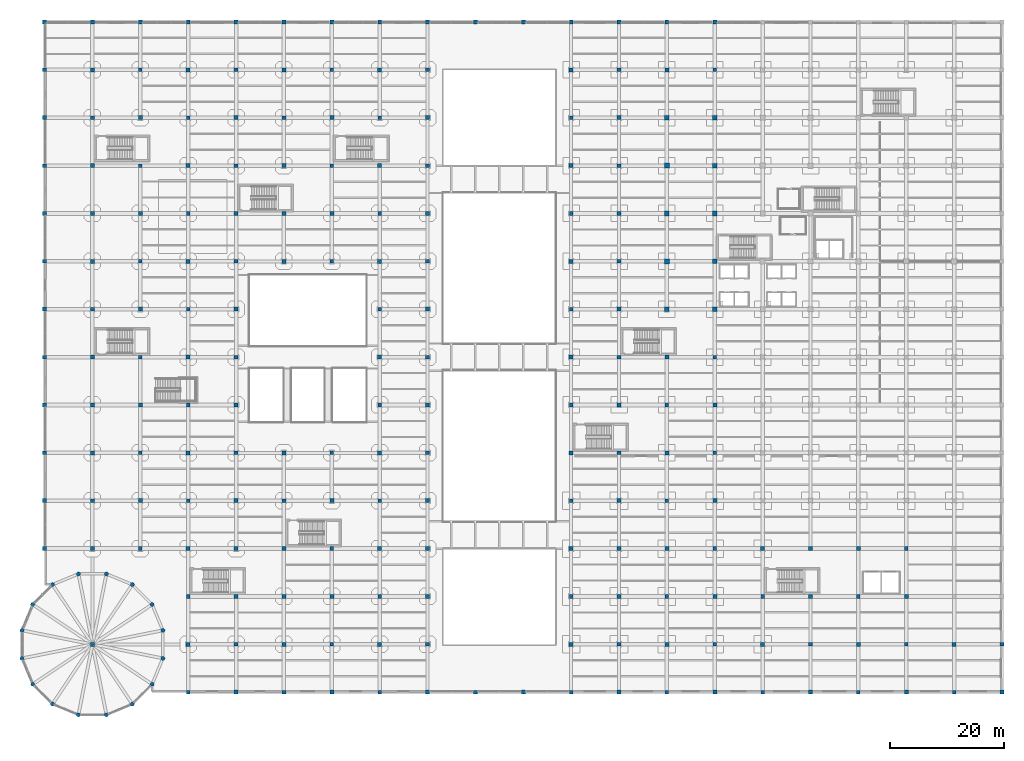
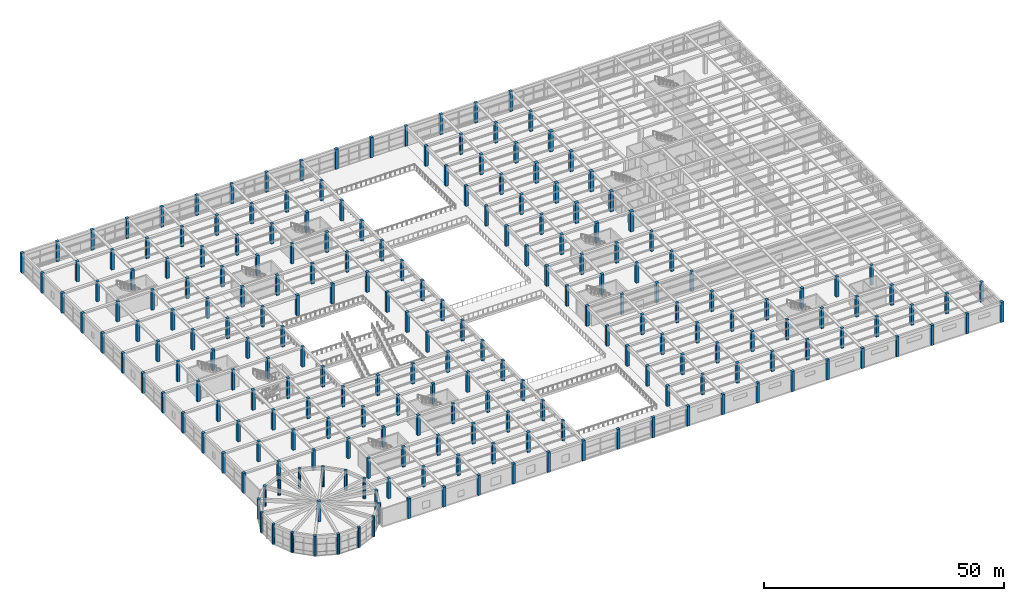
# One storey, part 1 of 96: 221 columns.
"""IFC4 building model written with IfcOpenShell, lengths in metres."""

from ifc_helpers import new_model, si_unit, direction, frame, origin, origin_2d, place, context, subcontext, project, spatial, rectangle, circle, extrude, material, material_profile, profile_set, type_object, element, save


model = new_model("IFC4")

# Units and contexts
model_context = context("Model", 3, precision=1e-05, world=origin(), true_north=direction((0.0, 1.0)))
body_context = subcontext(model_context, "Body", "Model", "MODEL_VIEW")
ifc_project = project(units=[si_unit("LENGTHUNIT", "METRE"), si_unit("AREAUNIT", "SQUARE_METRE"), si_unit("VOLUMEUNIT", "CUBIC_METRE"), si_unit("PLANEANGLEUNIT", "RADIAN"), si_unit("MASSUNIT", "GRAM", prefix="KILO")], contexts=[model_context])

# Site, building, storey
site_placement = place(None, origin())
site = spatial("IfcSite", under=ifc_project, at=site_placement, CompositionType="ELEMENT")
building_placement = place(site_placement, origin())
building = spatial("IfcBuilding", under=site, at=building_placement, Name="Almacenes y Pasaje Nevantli", CompositionType="ELEMENT")
storey_placement = place(building_placement, frame((0.0, 0.0, 6.0)))
storey = spatial("IfcBuildingStorey", under=building, at=storey_placement, Name="L02", CompositionType="ELEMENT", Elevation=6.0)

# Columns
ifc_material_1 = material(Name="Concrete C45/55", Category="concrete")
ifc_material_profile_1 = material_profile(ifc_material_1, rectangle(XDim=0.64990234375, YDim=0.64990234375, at=origin_2d()), Name="RC-COL-650x650")
ifc_profile_set_1 = profile_set([ifc_material_profile_1], Name="Concrete C45/55")
column_type_1 = type_object("IfcColumnType", Name="COL-RC-650", PredefinedType="COLUMN", material=ifc_profile_set_1)
for number, where, z_axis, x_axis, name in (
    (1, (0.0, 25.199951171875, 0.0), (0.0, 0.0, 1.0), (1.0, 0.0, 0.0), "L02 Reinforced Concrete Column CL-07 #989"),
    (2, (0.0, 42.0, 0.0), (0.0, 0.0, 1.0), (1.0, 0.0, 0.0), "L02 Reinforced Concrete Column CL-07 #991"),
    (3, (0.0, 58.800048828125, 0.0), (0.0, 0.0, 1.0), (1.0, 0.0, 0.0), "L02 Reinforced Concrete Column CL-07 #993"),
    (4, (0.0, 75.60009765625, 0.0), (0.0, 0.0, 1.0), (1.0, 0.0, 0.0), "L02 Reinforced Concrete Column CL-07 #995"),
    (5, (0.0, 92.39990234375, 0.0), (0.0, 0.0, 1.0), (1.0, 0.0, 0.0), "L02 Reinforced Concrete Column CL-07 #997"),
    (6, (0.0, 109.199951171875, 0.0), (0.0, 0.0, 1.0), (1.0, 0.0, 0.0), "L02 Reinforced Concrete Column CL-07 #999"),
    (7, (8.39990234375, 33.60009765625, 0.0), (0.0, 0.0, 1.0), (1.0, 0.0, 0.0), "L02 Reinforced Concrete Column CL-07 #1003"),
    (8, (8.39990234375, 50.39990234375, 0.0), (0.0, 0.0, 1.0), (1.0, 0.0, 0.0), "L02 Reinforced Concrete Column CL-07 #1005"),
    (9, (8.39990234375, 67.199951171875, 0.0), (0.0, 0.0, 1.0), (1.0, 0.0, 0.0), "L02 Reinforced Concrete Column CL-07 #1007"),
    (10, (8.39990234375, 84.0, 0.0), (0.0, 0.0, 1.0), (1.0, 0.0, 0.0), "L02 Reinforced Concrete Column CL-07 #1009"),
    (11, (8.39990234375, 100.800048828125, 0.0), (0.0, 0.0, 1.0), (1.0, 0.0, 0.0), "L02 Reinforced Concrete Column CL-07 #1011"),
    (12, (8.39990234375, 117.60009765625, 0.0), (0.0, 0.0, 1.0), (1.0, 0.0, 0.0), "L02 Reinforced Concrete Column CL-07 #1013"),
    (13, (16.800048828125, 25.199951171875, 0.0), (0.0, 0.0, 1.0), (1.0, 0.0, 0.0), "L02 Reinforced Concrete Column CL-07 #1014"),
    (14, (16.800048828125, 42.0, 0.0), (0.0, 0.0, 1.0), (1.0, 0.0, 0.0), "L02 Reinforced Concrete Column CL-07 #1016"),
    (15, (16.800048828125, 58.800048828125, 0.0), (0.0, 0.0, 1.0), (1.0, 0.0, 0.0), "L02 Reinforced Concrete Column CL-07 #1018"),
    (16, (16.800048828125, 75.60009765625, 0.0), (0.0, 0.0, 1.0), (1.0, 0.0, 0.0), "L02 Reinforced Concrete Column CL-07 #1020"),
    (17, (16.800048828125, 92.39990234375, 0.0), (0.0, 0.0, 1.0), (1.0, 0.0, 0.0), "L02 Reinforced Concrete Column CL-07 #1022"),
    (18, (16.800048828125, 109.199951171875, 0.0), (0.0, 0.0, 1.0), (1.0, 0.0, 0.0), "L02 Reinforced Concrete Column CL-07 #1024"),
    (19, (25.199951171875, 0.0, 0.0), (0.0, 0.0, 1.0), (1.0, 0.0, 0.0), "L02 Reinforced Concrete Column CL-07 #1026"),
    (20, (25.199951171875, 16.800048828125, 0.0), (0.0, 0.0, 1.0), (1.0, 0.0, 0.0), "L02 Reinforced Concrete Column CL-07 #1028"),
    (21, (25.199951171875, 33.60009765625, 0.0), (0.0, 0.0, 1.0), (1.0, 0.0, 0.0), "L02 Reinforced Concrete Column CL-07 #1030"),
    (22, (25.199951171875, 50.39990234375, 0.0), (0.0, 0.0, 1.0), (1.0, 0.0, 0.0), "L02 Reinforced Concrete Column CL-07 #1032"),
    (23, (25.199951171875, 67.199951171875, 0.0), (0.0, 0.0, 1.0), (1.0, 0.0, 0.0), "L02 Reinforced Concrete Column CL-07 #1034"),
    (24, (25.199951171875, 84.0, 0.0), (0.0, 0.0, 1.0), (1.0, 0.0, 0.0), "L02 Reinforced Concrete Column CL-07 #1036"),
    (25, (25.199951171875, 100.800048828125, 0.0), (0.0, 0.0, 1.0), (1.0, 0.0, 0.0), "L02 Reinforced Concrete Column CL-07 #1038"),
    (26, (25.199951171875, 117.60009765625, 0.0), (0.0, 0.0, 1.0), (1.0, 0.0, 0.0), "L02 Reinforced Concrete Column CL-07 #1040"),
    (27, (33.60009765625, 8.39990234375, 0.0), (0.0, 0.0, 1.0), (1.0, 0.0, 0.0), "L02 Reinforced Concrete Column CL-07 #1042"),
    (28, (33.60009765625, 25.199951171875, 0.0), (0.0, 0.0, 1.0), (1.0, 0.0, 0.0), "L02 Reinforced Concrete Column CL-07 #1044"),
    (29, (33.60009765625, 42.0, 0.0), (0.0, 0.0, 1.0), (1.0, 0.0, 0.0), "L02 Reinforced Concrete Column CL-07 #1046"),
    (30, (33.60009765625, 58.800048828125, 0.0), (0.0, 0.0, 1.0), (1.0, 0.0, 0.0), "L02 Reinforced Concrete Column CL-07 #1048"),
    (31, (33.60009765625, 75.60009765625, 0.0), (0.0, 0.0, 1.0), (1.0, 0.0, 0.0), "L02 Reinforced Concrete Column CL-07 #1050"),
    (32, (33.60009765625, 92.39990234375, 0.0), (0.0, 0.0, 1.0), (1.0, 0.0, 0.0), "L02 Reinforced Concrete Column CL-07 #1052"),
    (33, (33.60009765625, 109.199951171875, 0.0), (0.0, 0.0, 1.0), (1.0, 0.0, 0.0), "L02 Reinforced Concrete Column CL-07 #1054"),
    (34, (42.0, 0.0, 0.0), (0.0, 0.0, 1.0), (1.0, 0.0, 0.0), "L02 Reinforced Concrete Column CL-07 #1056"),
    (35, (42.0, 16.800048828125, 0.0), (0.0, 0.0, 1.0), (1.0, 0.0, 0.0), "L02 Reinforced Concrete Column CL-07 #1058"),
    (36, (42.0, 33.60009765625, 0.0), (0.0, 0.0, 1.0), (1.0, 0.0, 0.0), "L02 Reinforced Concrete Column CL-07 #1060"),
    (37, (42.0, 84.0, 0.0), (0.0, 0.0, 1.0), (1.0, 0.0, 0.0), "L02 Reinforced Concrete Column CL-07 #1063"),
    (38, (42.0, 100.800048828125, 0.0), (0.0, 0.0, 1.0), (1.0, 0.0, 0.0), "L02 Reinforced Concrete Column CL-07 #1065"),
    (39, (42.0, 117.60009765625, 0.0), (0.0, 0.0, 1.0), (1.0, 0.0, 0.0), "L02 Reinforced Concrete Column CL-07 #1067"),
    (40, (50.39990234375, 8.39990234375, 0.0), (0.0, 0.0, 1.0), (1.0, 0.0, 0.0), "L02 Reinforced Concrete Column CL-07 #1069"),
    (41, (50.39990234375, 25.199951171875, 0.0), (0.0, 0.0, 1.0), (1.0, 0.0, 0.0), "L02 Reinforced Concrete Column CL-07 #1071"),
    (42, (50.39990234375, 42.0, 0.0), (0.0, 0.0, 1.0), (1.0, 0.0, 0.0), "L02 Reinforced Concrete Column CL-07 #1073"),
    (43, (50.39990234375, 75.60009765625, 0.0), (0.0, 0.0, 1.0), (1.0, 0.0, 0.0), "L02 Reinforced Concrete Column CL-07 #1074"),
    (44, (50.39990234375, 92.39990234375, 0.0), (0.0, 0.0, 1.0), (1.0, 0.0, 0.0), "L02 Reinforced Concrete Column CL-07 #1076"),
    (45, (50.39990234375, 109.199951171875, 0.0), (0.0, 0.0, 1.0), (1.0, 0.0, 0.0), "L02 Reinforced Concrete Column CL-07 #1078"),
    (46, (58.800048828125, 0.0, 0.0), (0.0, 0.0, 1.0), (1.0, 0.0, 0.0), "L02 Reinforced Concrete Column CL-07 #1080"),
    (47, (58.800048828125, 16.800048828125, 0.0), (0.0, 0.0, 1.0), (1.0, 0.0, 0.0), "L02 Reinforced Concrete Column CL-07 #1082"),
    (48, (58.800048828125, 33.60009765625, 0.0), (0.0, 0.0, 1.0), (1.0, 0.0, 0.0), "L02 Reinforced Concrete Column CL-07 #1084"),
    (49, (58.800048828125, 50.39990234375, 0.0), (0.0, 0.0, 1.0), (1.0, 0.0, 0.0), "L02 Reinforced Concrete Column CL-07 #1086"),
    (50, (58.800048828125, 67.199951171875, 0.0), (0.0, 0.0, 1.0), (1.0, 0.0, 0.0), "L02 Reinforced Concrete Column CL-07 #1088"),
    (51, (58.800048828125, 84.0, 0.0), (0.0, 0.0, 1.0), (1.0, 0.0, 0.0), "L02 Reinforced Concrete Column CL-07 #1090"),
    (52, (58.800048828125, 100.800048828125, 0.0), (0.0, 0.0, 1.0), (1.0, 0.0, 0.0), "L02 Reinforced Concrete Column CL-07 #1092"),
    (53, (58.800048828125, 117.60009765625, 0.0), (0.0, 0.0, 1.0), (1.0, 0.0, 0.0), "L02 Reinforced Concrete Column CL-07 #1094"),
    (54, (67.199951171875, 8.39990234375, 0.0), (0.0, 0.0, 1.0), (1.0, 0.0, 0.0), "L02 Reinforced Concrete Column CL-07 #1096"),
    (55, (67.199951171875, 25.199951171875, 0.0), (0.0, 0.0, 1.0), (1.0, 0.0, 0.0), "L02 Reinforced Concrete Column CL-07 #1098"),
    (56, (67.199951171875, 42.0, 0.0), (0.0, 0.0, 1.0), (1.0, 0.0, 0.0), "L02 Reinforced Concrete Column CL-07 #1100"),
    (57, (67.199951171875, 58.800048828125, 0.0), (0.0, 0.0, 1.0), (1.0, 0.0, 0.0), "L02 Reinforced Concrete Column CL-07 #1102"),
    (58, (67.199951171875, 75.60009765625, 0.0), (0.0, 0.0, 1.0), (1.0, 0.0, 0.0), "L02 Reinforced Concrete Column CL-07 #1104"),
    (59, (67.199951171875, 92.39990234375, 0.0), (0.0, 0.0, 1.0), (1.0, 0.0, 0.0), "L02 Reinforced Concrete Column CL-07 #1106"),
    (60, (67.199951171875, 109.199951171875, 0.0), (0.0, 0.0, 1.0), (1.0, 0.0, 0.0), "L02 Reinforced Concrete Column CL-07 #1108"),
    (61, (75.60009765625, 0.0, 0.0), (0.0, 0.0, 1.0), (1.0, 0.0, 0.0), "L02 Reinforced Concrete Column CL-07 #1110"),
    (62, (75.60009765625, 117.60009765625, 0.0), (0.0, 0.0, 1.0), (1.0, 0.0, 0.0), "L02 Reinforced Concrete Column CL-07 #1111"),
    (63, (92.39990234375, 0.0, 0.0), (0.0, 0.0, 1.0), (1.0, 0.0, 0.0), "L02 Reinforced Concrete Column CL-07 #1114"),
    (64, (92.39990234375, 16.800048828125, 0.0), (0.0, 0.0, 1.0), (1.0, 0.0, 0.0), "L02 Reinforced Concrete Column CL-07 #1116"),
    (65, (92.39990234375, 33.60009765625, 0.0), (0.0, 0.0, 1.0), (1.0, 0.0, 0.0), "L02 Reinforced Concrete Column CL-07 #1118"),
    (66, (92.39990234375, 50.39990234375, 0.0), (0.0, 0.0, 1.0), (1.0, 0.0, 0.0), "L02 Reinforced Concrete Column CL-07 #1120"),
    (67, (92.39990234375, 67.199951171875, 0.0), (0.0, 0.0, 1.0), (1.0, 0.0, 0.0), "L02 Reinforced Concrete Column CL-07 #1122"),
    (68, (92.39990234375, 84.0, 0.0), (0.0, 0.0, 1.0), (1.0, 0.0, 0.0), "L02 Reinforced Concrete Column CL-07 #1124"),
    (69, (92.39990234375, 100.800048828125, 0.0), (0.0, 0.0, 1.0), (1.0, 0.0, 0.0), "L02 Reinforced Concrete Column CL-07 #1126"),
    (70, (92.39990234375, 117.60009765625, 0.0), (0.0, 0.0, 1.0), (1.0, 0.0, 0.0), "L02 Reinforced Concrete Column CL-07 #1128"),
    (71, (100.800048828125, 8.39990234375, 0.0), (0.0, 0.0, 1.0), (1.0, 0.0, 0.0), "L02 Reinforced Concrete Column CL-07 #1130"),
    (72, (100.800048828125, 25.199951171875, 0.0), (0.0, 0.0, 1.0), (1.0, 0.0, 0.0), "L02 Reinforced Concrete Column CL-07 #1132"),
    (73, (100.800048828125, 42.0, 0.0), (0.0, 0.0, 1.0), (1.0, 0.0, 0.0), "L02 Reinforced Concrete Column CL-07 #1134"),
    (74, (100.800048828125, 58.800048828125, 0.0), (0.0, 0.0, 1.0), (1.0, 0.0, 0.0), "L02 Reinforced Concrete Column CL-07 #1136"),
    (75, (100.800048828125, 75.60009765625, 0.0), (0.0, 0.0, 1.0), (1.0, 0.0, 0.0), "L02 Reinforced Concrete Column CL-07 #1138"),
    (76, (100.800048828125, 92.39990234375, 0.0), (0.0, 0.0, 1.0), (1.0, 0.0, 0.0), "L02 Reinforced Concrete Column CL-07 #1140"),
    (77, (100.800048828125, 109.199951171875, 0.0), (0.0, 0.0, 1.0), (1.0, 0.0, 0.0), "L02 Reinforced Concrete Column CL-07 #1142"),
    (78, (109.199951171875, 0.0, 0.0), (0.0, 0.0, 1.0), (1.0, 0.0, 0.0), "L02 Reinforced Concrete Column CL-07 #1144"),
    (79, (109.199951171875, 16.800048828125, 0.0), (0.0, 0.0, 1.0), (1.0, 0.0, 0.0), "L02 Reinforced Concrete Column CL-07 #1146"),
    (80, (109.199951171875, 33.60009765625, 0.0), (0.0, 0.0, 1.0), (1.0, 0.0, 0.0), "L02 Reinforced Concrete Column CL-07 #1148"),
    (81, (109.199951171875, 50.39990234375, 0.0), (0.0, 0.0, 1.0), (1.0, 0.0, 0.0), "L02 Reinforced Concrete Column CL-07 #1150"),
    (82, (109.199951171875, 117.60009765625, 0.0), (0.0, 0.0, 1.0), (1.0, 0.0, 0.0), "L02 Reinforced Concrete Column CL-07 #1158"),
    (83, (117.60009765625, 8.39990234375, 0.0), (0.0, 0.0, 1.0), (1.0, 0.0, 0.0), "L02 Reinforced Concrete Column CL-07 #1160"),
    (84, (117.60009765625, 25.199951171875, 0.0), (0.0, 0.0, 1.0), (1.0, 0.0, 0.0), "L02 Reinforced Concrete Column CL-07 #1162"),
    (85, (117.60009765625, 42.0, 0.0), (0.0, 0.0, 1.0), (1.0, 0.0, 0.0), "L02 Reinforced Concrete Column CL-07 #1164"),
    (86, (117.60009765625, 58.800048828125, 0.0), (0.0, 0.0, 1.0), (1.0, 0.0, 0.0), "L02 Reinforced Concrete Column CL-07 #1166"),
    (87, (117.60009765625, 109.199951171875, 0.0), (0.0, 0.0, 1.0), (1.0, 0.0, 0.0), "L02 Reinforced Concrete Column CL-07 #1172"),
    (88, (126.0, 0.0, 0.0), (0.0, 0.0, 1.0), (1.0, 0.0, 0.0), "L02 Reinforced Concrete Column CL-07 #1174"),
    (89, (126.0, 16.800048828125, 0.0), (0.0, 0.0, 1.0), (1.0, 0.0, 0.0), "L02 Reinforced Concrete Column CL-07 #1176"),
    (90, (134.39990234375, 8.39990234375, 0.0), (0.0, 0.0, 1.0), (1.0, 0.0, 0.0), "L02 Reinforced Concrete Column CL-07 #1190"),
    (91, (134.39990234375, 25.199951171875, 0.0), (0.0, 0.0, 1.0), (1.0, 0.0, 0.0), "L02 Reinforced Concrete Column CL-07 #1192"),
    (92, (142.800048828125, 0.0, 0.0), (0.0, 0.0, 1.0), (1.0, 0.0, 0.0), "L02 Reinforced Concrete Column CL-07 #1204"),
    (93, (142.800048828125, 16.800048828125, 0.0), (0.0, 0.0, 1.0), (1.0, 0.0, 0.0), "L02 Reinforced Concrete Column CL-07 #1206"),
    (94, (151.199951171875, 8.39990234375, 0.0), (0.0, 0.0, 1.0), (1.0, 0.0, 0.0), "L02 Reinforced Concrete Column CL-07 #1220"),
    (95, (151.199951171875, 25.199951171875, 0.0), (0.0, 0.0, 1.0), (1.0, 0.0, 0.0), "L02 Reinforced Concrete Column CL-07 #1222"),
    (96, (159.60009765625, 0.0, 0.0), (0.0, 0.0, 1.0), (1.0, 0.0, 0.0), "L02 Reinforced Concrete Column CL-07 #1234"),
    (97, (168.0, 8.39990234375, 0.0), (0.0, 0.0, 1.0), (1.0, 0.0, 0.0), "L02 Reinforced Concrete Column CL-07 #1250"),
):
    element("IfcColumn", number, at=place(storey_placement, frame(where, z_axis=z_axis, x_axis=x_axis)), inside=storey, type_object=column_type_1, Name=name, PredefinedType="COLUMN", context=body_context, shape_type="SweptSolid", body=[
        extrude(rectangle(XDim=0.64990234375, YDim=0.64990234375, at=origin_2d()), origin(), (0.0, 0.0, 1.0), 5.10009765625),
    ])
ifc_material_2 = material(Name="Concrete C45/55", Category="concrete")
ifc_material_profile_2 = material_profile(ifc_material_2, rectangle(XDim=0.699951171875, YDim=0.699951171875, at=origin_2d()), Name="RC-COL-700x700")
ifc_profile_set_2 = profile_set([ifc_material_profile_2], Name="Concrete C45/55")
column_type_2 = type_object("IfcColumnType", Name="COL-RC-700", PredefinedType="COLUMN", material=ifc_profile_set_2)
for number, where, z_axis, x_axis, name in (
    (98, (0.0, 33.60009765625, 0.0), (0.0, 0.0, 1.0), (1.0, 0.0, 0.0), "L02 Reinforced Concrete Column CL-06 #990"),
    (99, (0.0, 50.39990234375, 0.0), (0.0, 0.0, 1.0), (1.0, 0.0, 0.0), "L02 Reinforced Concrete Column CL-06 #992"),
    (100, (0.0, 67.199951171875, 0.0), (0.0, 0.0, 1.0), (1.0, 0.0, 0.0), "L02 Reinforced Concrete Column CL-06 #994"),
    (101, (0.0, 84.0, 0.0), (0.0, 0.0, 1.0), (1.0, 0.0, 0.0), "L02 Reinforced Concrete Column CL-06 #996"),
    (102, (0.0, 100.800048828125, 0.0), (0.0, 0.0, 1.0), (1.0, 0.0, 0.0), "L02 Reinforced Concrete Column CL-06 #998"),
    (103, (0.0, 117.60009765625, 0.0), (0.0, 0.0, 1.0), (1.0, 0.0, 0.0), "L02 Reinforced Concrete Column CL-06 #1000"),
    (104, (8.39990234375, 8.39990234375, 0.0), (0.0, 0.0, 1.0), (1.0, 0.0, 0.0), "L02 Reinforced Concrete Column CL-06 #1001"),
    (105, (8.39990234375, 25.199951171875, 0.0), (0.0, 0.0, 1.0), (1.0, 0.0, 0.0), "L02 Reinforced Concrete Column CL-06 #1002"),
    (106, (8.39990234375, 42.0, 0.0), (0.0, 0.0, 1.0), (1.0, 0.0, 0.0), "L02 Reinforced Concrete Column CL-06 #1004"),
    (107, (8.39990234375, 58.800048828125, 0.0), (0.0, 0.0, 1.0), (1.0, 0.0, 0.0), "L02 Reinforced Concrete Column CL-06 #1006"),
    (108, (8.39990234375, 75.60009765625, 0.0), (0.0, 0.0, 1.0), (1.0, 0.0, 0.0), "L02 Reinforced Concrete Column CL-06 #1008"),
    (109, (8.39990234375, 92.39990234375, 0.0), (0.0, 0.0, 1.0), (1.0, 0.0, 0.0), "L02 Reinforced Concrete Column CL-06 #1010"),
    (110, (8.39990234375, 109.199951171875, 0.0), (0.0, 0.0, 1.0), (1.0, 0.0, 0.0), "L02 Reinforced Concrete Column CL-06 #1012"),
    (111, (16.800048828125, 33.60009765625, 0.0), (0.0, 0.0, 1.0), (1.0, 0.0, 0.0), "L02 Reinforced Concrete Column CL-06 #1015"),
    (112, (16.800048828125, 50.39990234375, 0.0), (0.0, 0.0, 1.0), (1.0, 0.0, 0.0), "L02 Reinforced Concrete Column CL-06 #1017"),
    (113, (16.800048828125, 67.199951171875, 0.0), (0.0, 0.0, 1.0), (1.0, 0.0, 0.0), "L02 Reinforced Concrete Column CL-06 #1019"),
    (114, (16.800048828125, 84.0, 0.0), (0.0, 0.0, 1.0), (1.0, 0.0, 0.0), "L02 Reinforced Concrete Column CL-06 #1021"),
    (115, (16.800048828125, 100.800048828125, 0.0), (0.0, 0.0, 1.0), (1.0, 0.0, 0.0), "L02 Reinforced Concrete Column CL-06 #1023"),
    (116, (16.800048828125, 117.60009765625, 0.0), (0.0, 0.0, 1.0), (1.0, 0.0, 0.0), "L02 Reinforced Concrete Column CL-06 #1025"),
    (117, (25.199951171875, 8.39990234375, 0.0), (0.0, 0.0, 1.0), (1.0, 0.0, 0.0), "L02 Reinforced Concrete Column CL-06 #1027"),
    (118, (25.199951171875, 25.199951171875, 0.0), (0.0, 0.0, 1.0), (1.0, 0.0, 0.0), "L02 Reinforced Concrete Column CL-06 #1029"),
    (119, (25.199951171875, 42.0, 0.0), (0.0, 0.0, 1.0), (1.0, 0.0, 0.0), "L02 Reinforced Concrete Column CL-06 #1031"),
    (120, (25.199951171875, 58.800048828125, 0.0), (0.0, 0.0, 1.0), (1.0, 0.0, 0.0), "L02 Reinforced Concrete Column CL-06 #1033"),
    (121, (25.199951171875, 75.60009765625, 0.0), (0.0, 0.0, 1.0), (1.0, 0.0, 0.0), "L02 Reinforced Concrete Column CL-06 #1035"),
    (122, (25.199951171875, 92.39990234375, 0.0), (0.0, 0.0, 1.0), (1.0, 0.0, 0.0), "L02 Reinforced Concrete Column CL-06 #1037"),
    (123, (25.199951171875, 109.199951171875, 0.0), (0.0, 0.0, 1.0), (1.0, 0.0, 0.0), "L02 Reinforced Concrete Column CL-06 #1039"),
    (124, (33.60009765625, 0.0, 0.0), (0.0, 0.0, 1.0), (1.0, 0.0, 0.0), "L02 Reinforced Concrete Column CL-06 #1041"),
    (125, (33.60009765625, 16.800048828125, 0.0), (0.0, 0.0, 1.0), (1.0, 0.0, 0.0), "L02 Reinforced Concrete Column CL-06 #1043"),
    (126, (33.60009765625, 33.60009765625, 0.0), (0.0, 0.0, 1.0), (1.0, 0.0, 0.0), "L02 Reinforced Concrete Column CL-06 #1045"),
    (127, (33.60009765625, 50.39990234375, 0.0), (0.0, 0.0, 1.0), (1.0, 0.0, 0.0), "L02 Reinforced Concrete Column CL-06 #1047"),
    (128, (33.60009765625, 67.199951171875, 0.0), (0.0, 0.0, 1.0), (1.0, 0.0, 0.0), "L02 Reinforced Concrete Column CL-06 #1049"),
    (129, (33.60009765625, 84.0, 0.0), (0.0, 0.0, 1.0), (1.0, 0.0, 0.0), "L02 Reinforced Concrete Column CL-06 #1051"),
    (130, (33.60009765625, 100.800048828125, 0.0), (0.0, 0.0, 1.0), (1.0, 0.0, 0.0), "L02 Reinforced Concrete Column CL-06 #1053"),
    (131, (33.60009765625, 117.60009765625, 0.0), (0.0, 0.0, 1.0), (1.0, 0.0, 0.0), "L02 Reinforced Concrete Column CL-06 #1055"),
    (132, (42.0, 8.39990234375, 0.0), (0.0, 0.0, 1.0), (1.0, 0.0, 0.0), "L02 Reinforced Concrete Column CL-06 #1057"),
    (133, (42.0, 25.199951171875, 0.0), (0.0, 0.0, 1.0), (1.0, 0.0, 0.0), "L02 Reinforced Concrete Column CL-06 #1059"),
    (134, (42.0, 42.0, 0.0), (0.0, 0.0, 1.0), (1.0, 0.0, 0.0), "L02 Reinforced Concrete Column CL-06 #1061"),
    (135, (42.0, 75.60009765625, 0.0), (0.0, 0.0, 1.0), (1.0, 0.0, 0.0), "L02 Reinforced Concrete Column CL-06 #1062"),
    (136, (42.0, 92.39990234375, 0.0), (0.0, 0.0, 1.0), (1.0, 0.0, 0.0), "L02 Reinforced Concrete Column CL-06 #1064"),
    (137, (42.0, 109.199951171875, 0.0), (0.0, 0.0, 1.0), (1.0, 0.0, 0.0), "L02 Reinforced Concrete Column CL-06 #1066"),
    (138, (50.39990234375, 0.0, 0.0), (0.0, 0.0, 1.0), (1.0, 0.0, 0.0), "L02 Reinforced Concrete Column CL-06 #1068"),
    (139, (50.39990234375, 16.800048828125, 0.0), (0.0, 0.0, 1.0), (1.0, 0.0, 0.0), "L02 Reinforced Concrete Column CL-06 #1070"),
    (140, (50.39990234375, 33.60009765625, 0.0), (0.0, 0.0, 1.0), (1.0, 0.0, 0.0), "L02 Reinforced Concrete Column CL-06 #1072"),
    (141, (50.39990234375, 84.0, 0.0), (0.0, 0.0, 1.0), (1.0, 0.0, 0.0), "L02 Reinforced Concrete Column CL-06 #1075"),
    (142, (50.39990234375, 100.800048828125, 0.0), (0.0, 0.0, 1.0), (1.0, 0.0, 0.0), "L02 Reinforced Concrete Column CL-06 #1077"),
    (143, (50.39990234375, 117.60009765625, 0.0), (0.0, 0.0, 1.0), (1.0, 0.0, 0.0), "L02 Reinforced Concrete Column CL-06 #1079"),
    (144, (58.800048828125, 8.39990234375, 0.0), (0.0, 0.0, 1.0), (1.0, 0.0, 0.0), "L02 Reinforced Concrete Column CL-06 #1081"),
    (145, (58.800048828125, 25.199951171875, 0.0), (0.0, 0.0, 1.0), (1.0, 0.0, 0.0), "L02 Reinforced Concrete Column CL-06 #1083"),
    (146, (58.800048828125, 42.0, 0.0), (0.0, 0.0, 1.0), (1.0, 0.0, 0.0), "L02 Reinforced Concrete Column CL-06 #1085"),
    (147, (58.800048828125, 58.800048828125, 0.0), (0.0, 0.0, 1.0), (1.0, 0.0, 0.0), "L02 Reinforced Concrete Column CL-06 #1087"),
    (148, (58.800048828125, 75.60009765625, 0.0), (0.0, 0.0, 1.0), (1.0, 0.0, 0.0), "L02 Reinforced Concrete Column CL-06 #1089"),
    (149, (58.800048828125, 92.39990234375, 0.0), (0.0, 0.0, 1.0), (1.0, 0.0, 0.0), "L02 Reinforced Concrete Column CL-06 #1091"),
    (150, (58.800048828125, 109.199951171875, 0.0), (0.0, 0.0, 1.0), (1.0, 0.0, 0.0), "L02 Reinforced Concrete Column CL-06 #1093"),
    (151, (67.199951171875, 0.0, 0.0), (0.0, 0.0, 1.0), (1.0, 0.0, 0.0), "L02 Reinforced Concrete Column CL-06 #1095"),
    (152, (67.199951171875, 16.800048828125, 0.0), (0.0, 0.0, 1.0), (1.0, 0.0, 0.0), "L02 Reinforced Concrete Column CL-06 #1097"),
    (153, (67.199951171875, 33.60009765625, 0.0), (0.0, 0.0, 1.0), (1.0, 0.0, 0.0), "L02 Reinforced Concrete Column CL-06 #1099"),
    (154, (67.199951171875, 50.39990234375, 0.0), (0.0, 0.0, 1.0), (1.0, 0.0, 0.0), "L02 Reinforced Concrete Column CL-06 #1101"),
    (155, (67.199951171875, 67.199951171875, 0.0), (0.0, 0.0, 1.0), (1.0, 0.0, 0.0), "L02 Reinforced Concrete Column CL-06 #1103"),
    (156, (67.199951171875, 84.0, 0.0), (0.0, 0.0, 1.0), (1.0, 0.0, 0.0), "L02 Reinforced Concrete Column CL-06 #1105"),
    (157, (67.199951171875, 100.800048828125, 0.0), (0.0, 0.0, 1.0), (1.0, 0.0, 0.0), "L02 Reinforced Concrete Column CL-06 #1107"),
    (158, (67.199951171875, 117.60009765625, 0.0), (0.0, 0.0, 1.0), (1.0, 0.0, 0.0), "L02 Reinforced Concrete Column CL-06 #1109"),
    (159, (84.0, 0.0, 0.0), (0.0, 0.0, 1.0), (1.0, 0.0, 0.0), "L02 Reinforced Concrete Column CL-06 #1112"),
    (160, (84.0, 117.60009765625, 0.0), (0.0, 0.0, 1.0), (1.0, 0.0, 0.0), "L02 Reinforced Concrete Column CL-06 #1113"),
    (161, (92.39990234375, 8.39990234375, 0.0), (0.0, 0.0, 1.0), (1.0, 0.0, 0.0), "L02 Reinforced Concrete Column CL-06 #1115"),
    (162, (92.39990234375, 25.199951171875, 0.0), (0.0, 0.0, 1.0), (1.0, 0.0, 0.0), "L02 Reinforced Concrete Column CL-06 #1117"),
    (163, (92.39990234375, 42.0, 0.0), (0.0, 0.0, 1.0), (1.0, 0.0, 0.0), "L02 Reinforced Concrete Column CL-06 #1119"),
    (164, (92.39990234375, 58.800048828125, 0.0), (0.0, 0.0, 1.0), (1.0, 0.0, 0.0), "L02 Reinforced Concrete Column CL-06 #1121"),
    (165, (92.39990234375, 75.60009765625, 0.0), (0.0, 0.0, 1.0), (1.0, 0.0, 0.0), "L02 Reinforced Concrete Column CL-06 #1123"),
    (166, (92.39990234375, 92.39990234375, 0.0), (0.0, 0.0, 1.0), (1.0, 0.0, 0.0), "L02 Reinforced Concrete Column CL-06 #1125"),
    (167, (92.39990234375, 109.199951171875, 0.0), (0.0, 0.0, 1.0), (1.0, 0.0, 0.0), "L02 Reinforced Concrete Column CL-06 #1127"),
    (168, (100.800048828125, 0.0, 0.0), (0.0, 0.0, 1.0), (1.0, 0.0, 0.0), "L02 Reinforced Concrete Column CL-06 #1129"),
    (169, (100.800048828125, 16.800048828125, 0.0), (0.0, 0.0, 1.0), (1.0, 0.0, 0.0), "L02 Reinforced Concrete Column CL-06 #1131"),
    (170, (100.800048828125, 33.60009765625, 0.0), (0.0, 0.0, 1.0), (1.0, 0.0, 0.0), "L02 Reinforced Concrete Column CL-06 #1133"),
    (171, (100.800048828125, 50.39990234375, 0.0), (0.0, 0.0, 1.0), (1.0, 0.0, 0.0), "L02 Reinforced Concrete Column CL-06 #1135"),
    (172, (100.800048828125, 67.199951171875, 0.0), (0.0, 0.0, 1.0), (1.0, 0.0, 0.0), "L02 Reinforced Concrete Column CL-06 #1137"),
    (173, (100.800048828125, 84.0, 0.0), (0.0, 0.0, 1.0), (1.0, 0.0, 0.0), "L02 Reinforced Concrete Column CL-06 #1139"),
    (174, (100.800048828125, 100.800048828125, 0.0), (0.0, 0.0, 1.0), (1.0, 0.0, 0.0), "L02 Reinforced Concrete Column CL-06 #1141"),
    (175, (100.800048828125, 117.60009765625, 0.0), (0.0, 0.0, 1.0), (1.0, 0.0, 0.0), "L02 Reinforced Concrete Column CL-06 #1143"),
    (176, (109.199951171875, 8.39990234375, 0.0), (0.0, 0.0, 1.0), (1.0, 0.0, 0.0), "L02 Reinforced Concrete Column CL-06 #1145"),
    (177, (109.199951171875, 25.199951171875, 0.0), (0.0, 0.0, 1.0), (1.0, 0.0, 0.0), "L02 Reinforced Concrete Column CL-06 #1147"),
    (178, (109.199951171875, 42.0, 0.0), (0.0, 0.0, 1.0), (1.0, 0.0, 0.0), "L02 Reinforced Concrete Column CL-06 #1149"),
    (179, (109.199951171875, 58.800048828125, 0.0), (0.0, 0.0, 1.0), (1.0, 0.0, 0.0), "L02 Reinforced Concrete Column CL-06 #1151"),
    (180, (109.199951171875, 109.199951171875, 0.0), (0.0, 0.0, 1.0), (1.0, 0.0, 0.0), "L02 Reinforced Concrete Column CL-06 #1157"),
    (181, (117.60009765625, 0.0, 0.0), (0.0, 0.0, 1.0), (1.0, 0.0, 0.0), "L02 Reinforced Concrete Column CL-06 #1159"),
    (182, (117.60009765625, 16.800048828125, 0.0), (0.0, 0.0, 1.0), (1.0, 0.0, 0.0), "L02 Reinforced Concrete Column CL-06 #1161"),
    (183, (117.60009765625, 33.60009765625, 0.0), (0.0, 0.0, 1.0), (1.0, 0.0, 0.0), "L02 Reinforced Concrete Column CL-06 #1163"),
    (184, (117.60009765625, 50.39990234375, 0.0), (0.0, 0.0, 1.0), (1.0, 0.0, 0.0), "L02 Reinforced Concrete Column CL-06 #1165"),
    (185, (117.60009765625, 117.60009765625, 0.0), (0.0, 0.0, 1.0), (1.0, 0.0, 0.0), "L02 Reinforced Concrete Column CL-06 #1173"),
    (186, (126.0, 8.39990234375, 0.0), (0.0, 0.0, 1.0), (1.0, 0.0, 0.0), "L02 Reinforced Concrete Column CL-06 #1175"),
    (187, (126.0, 25.199951171875, 0.0), (0.0, 0.0, 1.0), (1.0, 0.0, 0.0), "L02 Reinforced Concrete Column CL-06 #1177"),
    (188, (134.39990234375, 0.0, 0.0), (0.0, 0.0, 1.0), (1.0, 0.0, 0.0), "L02 Reinforced Concrete Column CL-06 #1189"),
    (189, (134.39990234375, 16.800048828125, 0.0), (0.0, 0.0, 1.0), (1.0, 0.0, 0.0), "L02 Reinforced Concrete Column CL-06 #1191"),
    (190, (142.800048828125, 8.39990234375, 0.0), (0.0, 0.0, 1.0), (1.0, 0.0, 0.0), "L02 Reinforced Concrete Column CL-06 #1205"),
    (191, (142.800048828125, 25.199951171875, 0.0), (0.0, 0.0, 1.0), (1.0, 0.0, 0.0), "L02 Reinforced Concrete Column CL-06 #1207"),
    (192, (151.199951171875, 0.0, 0.0), (0.0, 0.0, 1.0), (1.0, 0.0, 0.0), "L02 Reinforced Concrete Column CL-06 #1219"),
    (193, (151.199951171875, 16.800048828125, 0.0), (0.0, 0.0, 1.0), (1.0, 0.0, 0.0), "L02 Reinforced Concrete Column CL-06 #1221"),
    (194, (159.60009765625, 8.39990234375, 0.0), (0.0, 0.0, 1.0), (1.0, 0.0, 0.0), "L02 Reinforced Concrete Column CL-06 #1235"),
    (195, (168.0, 0.0, 0.0), (0.0, 0.0, 1.0), (1.0, 0.0, 0.0), "L02 Reinforced Concrete Column CL-06 #1249"),
):
    element("IfcColumn", number, at=place(storey_placement, frame(where, z_axis=z_axis, x_axis=x_axis)), inside=storey, type_object=column_type_2, Name=name, PredefinedType="COLUMN", context=body_context, shape_type="SweptSolid", body=[
        extrude(rectangle(XDim=0.699951171875, YDim=0.699951171875, at=origin_2d()), origin(), (0.0, 0.0, 1.0), 5.10009765625),
    ])
ifc_material_3 = material(Name="Concrete C45/55", Category="concrete")
ifc_material_profile_3 = material_profile(ifc_material_3, rectangle(XDim=0.800048828125, YDim=0.800048828125, at=origin_2d()), Name="RC-COL-800x800")
ifc_profile_set_3 = profile_set([ifc_material_profile_3], Name="Concrete C45/55")
column_type_3 = type_object("IfcColumnType", Name="COL-RC-800", PredefinedType="COLUMN", material=ifc_profile_set_3)
for number, where, z_axis, x_axis, name in (
    (196, (109.199951171875, 67.199951171875, 0.0), (0.0, 0.0, 1.0), (1.0, 0.0, 0.0), "L02 Reinforced Concrete Column CL-04 #1152"),
    (197, (109.199951171875, 84.0, 0.0), (0.0, 0.0, 1.0), (1.0, 0.0, 0.0), "L02 Reinforced Concrete Column CL-04 #1154"),
    (198, (109.199951171875, 100.800048828125, 0.0), (0.0, 0.0, 1.0), (1.0, 0.0, 0.0), "L02 Reinforced Concrete Column CL-04 #1156"),
    (199, (117.60009765625, 75.60009765625, 0.0), (0.0, 0.0, 1.0), (1.0, 0.0, 0.0), "L02 Reinforced Concrete Column CL-04 #1168"),
    (200, (117.60009765625, 92.39990234375, 0.0), (0.0, 0.0, 1.0), (1.0, 0.0, 0.0), "L02 Reinforced Concrete Column CL-04 #1170"),
):
    element("IfcColumn", number, at=place(storey_placement, frame(where, z_axis=z_axis, x_axis=x_axis)), inside=storey, type_object=column_type_3, Name=name, PredefinedType="COLUMN", context=body_context, shape_type="SweptSolid", body=[
        extrude(rectangle(XDim=0.800048828125, YDim=0.800048828125, at=origin_2d()), origin(), (0.0, 0.0, 1.0), 5.10009765625),
    ])
ifc_material_4 = material(Name="Concrete C45/55", Category="concrete")
ifc_material_profile_4 = material_profile(ifc_material_4, rectangle(XDim=0.85009765625, YDim=0.85009765625, at=origin_2d()), Name="RC-COL-850x850")
ifc_profile_set_4 = profile_set([ifc_material_profile_4], Name="Concrete C45/55")
column_type_4 = type_object("IfcColumnType", Name="COL-RC-850", PredefinedType="COLUMN", material=ifc_profile_set_4)
for number, where, z_axis, x_axis, name in (
    (201, (109.199951171875, 75.60009765625, 0.0), (0.0, 0.0, 1.0), (1.0, 0.0, 0.0), "L02 Reinforced Concrete Column CL-03 #1153"),
    (202, (109.199951171875, 92.39990234375, 0.0), (0.0, 0.0, 1.0), (1.0, 0.0, 0.0), "L02 Reinforced Concrete Column CL-03 #1155"),
    (203, (117.60009765625, 67.199951171875, 0.0), (0.0, 0.0, 1.0), (1.0, 0.0, 0.0), "L02 Reinforced Concrete Column CL-03 #1167"),
    (204, (117.60009765625, 84.0, 0.0), (0.0, 0.0, 1.0), (1.0, 0.0, 0.0), "L02 Reinforced Concrete Column CL-03 #1169"),
    (205, (117.60009765625, 100.800048828125, 0.0), (0.0, 0.0, 1.0), (1.0, 0.0, 0.0), "L02 Reinforced Concrete Column CL-03 #1171"),
):
    element("IfcColumn", number, at=place(storey_placement, frame(where, z_axis=z_axis, x_axis=x_axis)), inside=storey, type_object=column_type_4, Name=name, PredefinedType="COLUMN", context=body_context, shape_type="SweptSolid", body=[
        extrude(rectangle(XDim=0.85009765625, YDim=0.85009765625, at=origin_2d()), origin(), (0.0, 0.0, 1.0), 5.10009765625),
    ])
ifc_material_5 = material(Name="Concrete C45/55", Category="concrete")
ifc_material_profile_5 = material_profile(ifc_material_5, circle(Radius=0.35009765625, at=origin_2d()), Name="RC-COL-D700")
ifc_profile_set_5 = profile_set([ifc_material_profile_5], Name="Concrete C45/55")
column_type_5 = type_object("IfcColumnType", Name="COL-RC-D700", PredefinedType="COLUMN", material=ifc_profile_set_5)
for number, where, z_axis, x_axis, name in (
    (206, (20.7578125, 10.858154296875, 0.0), (0.0, 0.0, 1.0), (1.0, 0.0, 0.0), "L02 Corner Rotunda Circular Column CR-01"),
    (207, (18.87646484375, 15.400146484375, 0.0), (0.0, 0.0, 1.0), (1.0, 0.0, 0.0), "L02 Corner Rotunda Circular Column CR-02"),
    (208, (15.400146484375, 18.87646484375, 0.0), (0.0, 0.0, 1.0), (1.0, 0.0, 0.0), "L02 Corner Rotunda Circular Column CR-03"),
    (209, (10.858154296875, 20.7578125, 0.0), (0.0, 0.0, 1.0), (1.0, 0.0, 0.0), "L02 Corner Rotunda Circular Column CR-04"),
    (210, (5.94189453125, 20.7578125, 0.0), (0.0, 0.0, 1.0), (1.0, 0.0, 0.0), "L02 Corner Rotunda Circular Column CR-05"),
    (211, (1.39990234375, 18.87646484375, 0.0), (0.0, 0.0, 1.0), (1.0, 0.0, 0.0), "L02 Corner Rotunda Circular Column CR-06"),
    (212, (-2.076416015625, 15.400146484375, 0.0), (0.0, 0.0, 1.0), (1.0, 0.0, 0.0), "L02 Corner Rotunda Circular Column CR-07"),
    (213, (-3.9580078125, 10.858154296875, 0.0), (0.0, 0.0, 1.0), (1.0, 0.0, 0.0), "L02 Corner Rotunda Circular Column CR-08"),
    (214, (-3.9580078125, 5.94189453125, 0.0), (0.0, 0.0, 1.0), (1.0, 0.0, 0.0), "L02 Corner Rotunda Circular Column CR-09"),
    (215, (-2.076416015625, 1.39990234375, 0.0), (0.0, 0.0, 1.0), (1.0, 0.0, 0.0), "L02 Corner Rotunda Circular Column CR-10"),
    (216, (1.39990234375, -2.076416015625, 0.0), (0.0, 0.0, 1.0), (1.0, 0.0, 0.0), "L02 Corner Rotunda Circular Column CR-11"),
    (217, (5.94189453125, -3.9580078125, 0.0), (0.0, 0.0, 1.0), (1.0, 0.0, 0.0), "L02 Corner Rotunda Circular Column CR-12"),
    (218, (10.858154296875, -3.9580078125, 0.0), (0.0, 0.0, 1.0), (1.0, 0.0, 0.0), "L02 Corner Rotunda Circular Column CR-13"),
    (219, (15.400146484375, -2.076416015625, 0.0), (0.0, 0.0, 1.0), (1.0, 0.0, 0.0), "L02 Corner Rotunda Circular Column CR-14"),
    (220, (18.87646484375, 1.39990234375, 0.0), (0.0, 0.0, 1.0), (1.0, 0.0, 0.0), "L02 Corner Rotunda Circular Column CR-15"),
    (221, (20.7578125, 5.94189453125, 0.0), (0.0, 0.0, 1.0), (1.0, 0.0, 0.0), "L02 Corner Rotunda Circular Column CR-16"),
):
    element("IfcColumn", number, at=place(storey_placement, frame(where, z_axis=z_axis, x_axis=x_axis)), inside=storey, type_object=column_type_5, Name=name, PredefinedType="COLUMN", context=body_context, shape_type="SweptSolid", body=[
        extrude(circle(Radius=0.35009765625, at=origin_2d()), origin(), (0.0, 0.0, 1.0), 5.10009765625),
    ])

save(model, "model.ifc")
